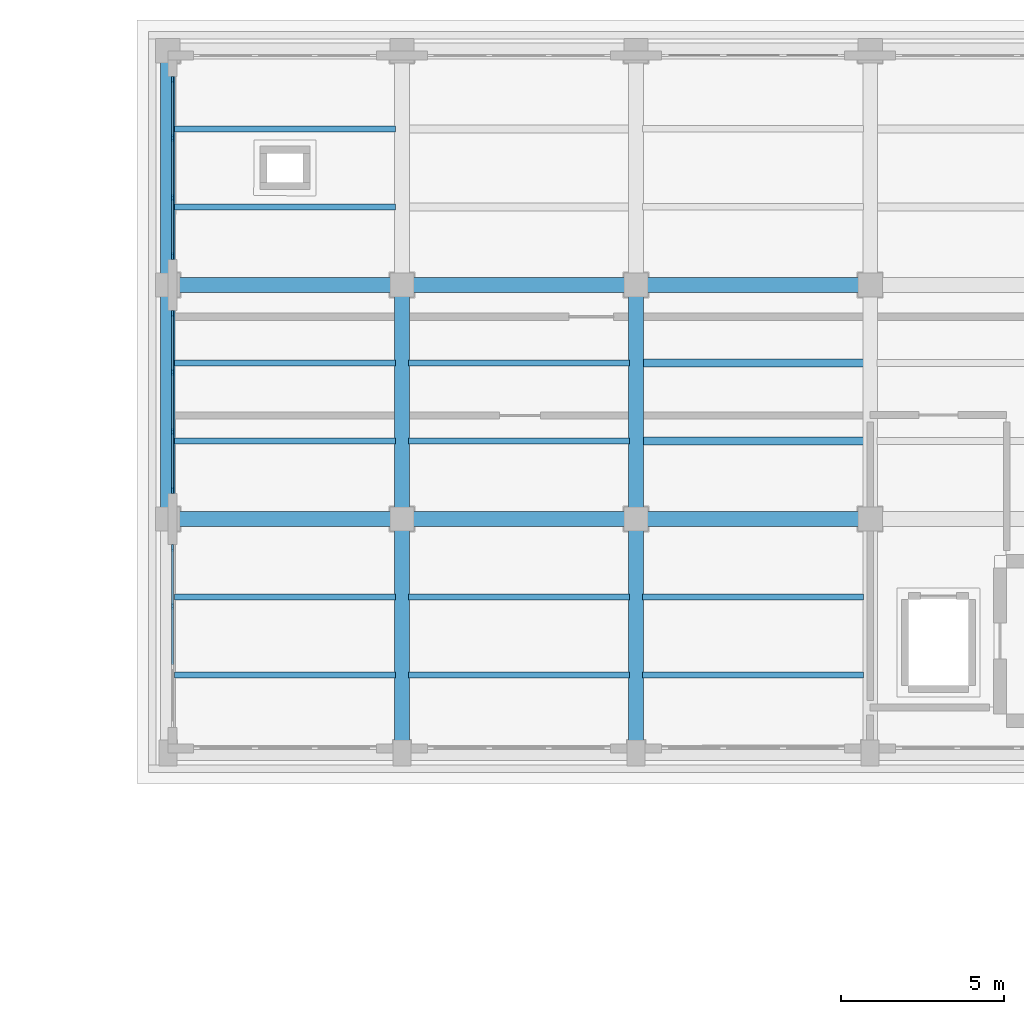
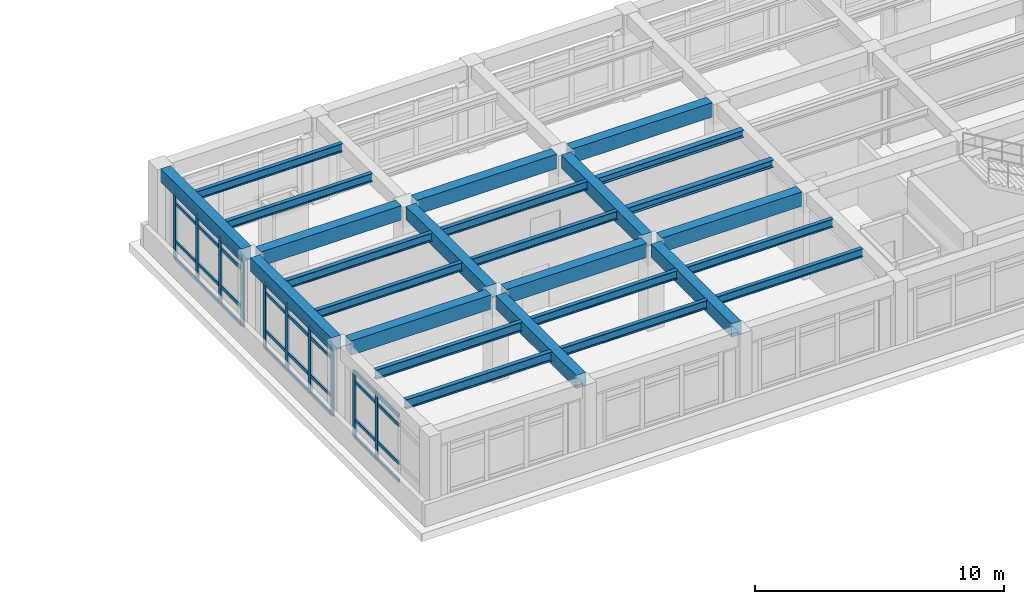
# One storey, part 23 of 67: 42 members, 26 beams, 3 elements without a shape of their own.
"""IFC4 building model written with IfcOpenShell, lengths in metres."""

from ifc_helpers import new_model, si_unit, direction, frame, origin, origin_2d, place, context, subcontext, project, spatial, rectangle, i_section, extrude, material, layer, layer_set, material_profile, profile_set, type_object, element, aggregate, save


model = new_model("IFC4")

# Units and contexts
model_context = context("Model", 3, precision=1e-05, world=origin(), true_north=direction((0.0, 1.0)))
body_context = subcontext(model_context, "Body", "Model", "MODEL_VIEW")
ifc_project = project(units=[si_unit("LENGTHUNIT", "METRE"), si_unit("AREAUNIT", "SQUARE_METRE"), si_unit("VOLUMEUNIT", "CUBIC_METRE"), si_unit("PLANEANGLEUNIT", "RADIAN"), si_unit("MASSUNIT", "GRAM", prefix="KILO")], contexts=[model_context])

# Site, building, storey
site_placement = place(None, origin())
site = spatial("IfcSite", under=ifc_project, at=site_placement, CompositionType="ELEMENT")
building_placement = place(site_placement, origin())
building = spatial("IfcBuilding", under=site, at=building_placement, Name="Solenvale Faculty of Natural Sciences", CompositionType="ELEMENT")
storey_placement = place(building_placement, frame((0.0, 0.0, 13.5)))
storey = spatial("IfcBuildingStorey", under=building, at=storey_placement, Name="L03", CompositionType="ELEMENT", Elevation=13.5)

# Beams
ifc_material_1 = material(Name="Concrete 40 MPa", Category="concrete")
ifc_material_profile_1 = material_profile(ifc_material_1, rectangle(XDim=0.449951171875, YDim=0.64990234375, at=origin_2d()), Name="RC-BM-450x650")
ifc_profile_set_1 = profile_set([ifc_material_profile_1], Name="Concrete 40 MPa")
beam_type_1 = type_object("IfcBeamType", Name="BM-RC-450x650", PredefinedType="BEAM", material=ifc_profile_set_1)
for number, where, z_axis, x_axis, name in (
    (1, (79.199951171875, 101.155029296875, 3.89501953125), (0.0, 1.0, 0.0), (-1.0, 0.0, 0.0), "L03 Y-Girder X79.2 (100.8..108.0)"),
    (2, (79.199951171875, 108.35498046875, 3.89501953125), (0.0, 1.0, 0.0), (-1.0, 0.0, 0.0), "L03 Y-Girder X79.2 (108.0..115.2)"),
):
    element("IfcBeam", number, at=place(storey_placement, frame(where, z_axis=z_axis, x_axis=x_axis)), inside=storey, type_object=beam_type_1, Name=name, PredefinedType="BEAM", context=body_context, shape_type="SweptSolid", body=[
        extrude(rectangle(XDim=0.449951171875, YDim=0.64990234375, at=origin_2d()), origin(), (0.0, 0.0, 1.0), 6.489990234375),
    ])
beam_1_placement = place(storey_placement, frame((86.39990234375, 93.97998046875, 3.89501953125), z_axis=(0.0, 1.0, 0.0), x_axis=(-1.0, 0.0, 0.0)))
element("IfcBeam", 3, at=beam_1_placement, inside=storey, type_object=beam_type_1, Name="L03 Y-Girder X86.4 (93.6..100.8)", PredefinedType="BEAM", context=body_context, shape_type="SweptSolid", body=[
    extrude(rectangle(XDim=0.449951171875, YDim=0.64990234375, at=origin_2d()), origin(), (0.0, 0.0, 1.0), 6.465087890625),
])
beam_2_placement = place(storey_placement, frame((86.39990234375, 101.155029296875, 3.89501953125), z_axis=(0.0, 1.0, 0.0), x_axis=(-1.0, 0.0, 0.0)))
element("IfcBeam", 4, at=beam_2_placement, inside=storey, type_object=beam_type_1, Name="L03 Y-Girder X86.4 (100.8..108.0)", PredefinedType="BEAM", context=body_context, shape_type="SweptSolid", body=[
    extrude(rectangle(XDim=0.449951171875, YDim=0.64990234375, at=origin_2d()), origin(), (0.0, 0.0, 1.0), 6.489990234375),
])
beam_3_placement = place(storey_placement, frame((93.60009765625, 93.97998046875, 3.89501953125), z_axis=(0.0, 1.0, 0.0), x_axis=(-1.0, 0.0, 0.0)))
element("IfcBeam", 5, at=beam_3_placement, inside=storey, type_object=beam_type_1, Name="L03 Y-Girder X93.6 (93.6..100.8)", PredefinedType="BEAM", context=body_context, shape_type="SweptSolid", body=[
    extrude(rectangle(XDim=0.449951171875, YDim=0.64990234375, at=origin_2d()), origin(), (0.0, 0.0, 1.0), 6.465087890625),
])
beam_4_placement = place(storey_placement, frame((93.60009765625, 101.155029296875, 3.89501953125), z_axis=(0.0, 1.0, 0.0), x_axis=(-1.0, 0.0, 0.0)))
element("IfcBeam", 6, at=beam_4_placement, inside=storey, type_object=beam_type_1, Name="L03 Y-Girder X93.6 (100.8..108.0)", PredefinedType="BEAM", context=body_context, shape_type="SweptSolid", body=[
    extrude(rectangle(XDim=0.449951171875, YDim=0.64990234375, at=origin_2d()), origin(), (0.0, 0.0, 1.0), 6.489990234375),
])
ifc_material_profile_2 = material_profile(ifc_material_1, rectangle(XDim=0.449951171875, YDim=0.699951171875, at=origin_2d()), Name="RC-BM-450x700")
ifc_profile_set_2 = profile_set([ifc_material_profile_2], Name="Concrete 40 MPa")
beam_type_2 = type_object("IfcBeamType", Name="BM-RC-450x700", PredefinedType="BEAM", material=ifc_profile_set_2)
beam_5_placement = place(storey_placement, frame((79.554931640625, 100.800048828125, 3.8701171875), z_axis=(1.0, 0.0, 0.0), x_axis=(0.0, 1.0, 0.0)))
element("IfcBeam", 7, at=beam_5_placement, inside=storey, type_object=beam_type_2, Name="L03 X-Girder Y100.8 (79.2..86.4)", PredefinedType="BEAM", context=body_context, shape_type="SweptSolid", body=[
    extrude(rectangle(XDim=0.449951171875, YDim=0.699951171875, at=origin_2d()), origin(), (0.0, 0.0, 1.0), 6.489990234375),
])
beam_6_placement = place(storey_placement, frame((86.7548828125, 100.800048828125, 3.8701171875), z_axis=(1.0, 0.0, 0.0), x_axis=(0.0, 1.0, 0.0)))
element("IfcBeam", 8, at=beam_6_placement, inside=storey, type_object=beam_type_2, Name="L03 X-Girder Y100.8 (86.4..93.6)", PredefinedType="BEAM", context=body_context, shape_type="SweptSolid", body=[
    extrude(rectangle(XDim=0.449951171875, YDim=0.699951171875, at=origin_2d()), origin(), (0.0, 0.0, 1.0), 6.490234375),
])
for number, where, z_axis, x_axis, name in (
    (9, (93.955078125, 100.800048828125, 3.8701171875), (1.0, 0.0, 0.0), (0.0, 1.0, 0.0), "L03 X-Girder Y100.8 (93.6..100.8)"),
    (10, (79.554931640625, 108.0, 3.8701171875), (1.0, 0.0, 0.0), (0.0, 1.0, 0.0), "L03 X-Girder Y108.0 (79.2..86.4)"),
):
    element("IfcBeam", number, at=place(storey_placement, frame(where, z_axis=z_axis, x_axis=x_axis)), inside=storey, type_object=beam_type_2, Name=name, PredefinedType="BEAM", context=body_context, shape_type="SweptSolid", body=[
        extrude(rectangle(XDim=0.449951171875, YDim=0.699951171875, at=origin_2d()), origin(), (0.0, 0.0, 1.0), 6.489990234375),
    ])
beam_7_placement = place(storey_placement, frame((86.7548828125, 108.0, 3.8701171875), z_axis=(1.0, 0.0, 0.0), x_axis=(0.0, 1.0, 0.0)))
element("IfcBeam", 11, at=beam_7_placement, inside=storey, type_object=beam_type_2, Name="L03 X-Girder Y108.0 (86.4..93.6)", PredefinedType="BEAM", context=body_context, shape_type="SweptSolid", body=[
    extrude(rectangle(XDim=0.449951171875, YDim=0.699951171875, at=origin_2d()), origin(), (0.0, 0.0, 1.0), 6.490234375),
])
beam_8_placement = place(storey_placement, frame((93.955078125, 108.0, 3.8701171875), z_axis=(1.0, 0.0, 0.0), x_axis=(0.0, 1.0, 0.0)))
element("IfcBeam", 12, at=beam_8_placement, inside=storey, type_object=beam_type_2, Name="L03 X-Girder Y108.0 (93.6..100.8)", PredefinedType="BEAM", context=body_context, shape_type="SweptSolid", body=[
    extrude(rectangle(XDim=0.449951171875, YDim=0.699951171875, at=origin_2d()), origin(), (0.0, 0.0, 1.0), 6.489990234375),
])
ifc_material_2 = material(Name="Steel S355", Category="steel")
ifc_material_profile_3 = material_profile(ifc_material_2, i_section(OverallWidth=0.2548828125, OverallDepth=0.35693359375, WebThickness=0.010498046875, FlangeThickness=0.018310546875, FilletRadius=0.014892578125, at=origin_2d()), Name="W360x101")
ifc_profile_set_3 = profile_set([ifc_material_profile_3], Name="Steel S355")
beam_type_3 = type_object("IfcBeamType", Name="BM-STL-W360x101", PredefinedType="JOIST", material=ifc_profile_set_3)
for number, where, z_axis, x_axis, name in (
    (13, (93.804931640625, 103.199951171875, 4.04150390625), (1.0, 0.0, 0.0), (0.0, 1.0, 0.0), "L03 Composite Floor Joist (14,15).1"),
    (14, (93.804931640625, 105.60009765625, 4.04150390625), (1.0, 0.0, 0.0), (0.0, 1.0, 0.0), "L03 Composite Floor Joist (14,15).2"),
):
    element("IfcBeam", number, at=place(storey_placement, frame(where, z_axis=z_axis, x_axis=x_axis)), inside=storey, type_object=beam_type_3, Name=name, PredefinedType="JOIST", context=body_context, shape_type="SweptSolid", body=[
        extrude(i_section(OverallWidth=0.2548828125, OverallDepth=0.35693359375, WebThickness=0.010498046875, FlangeThickness=0.018310546875, FilletRadius=0.014892578125, at=origin_2d()), origin(), (0.0, 0.0, 1.0), 6.7900390625),
    ])
ifc_material_profile_4 = material_profile(ifc_material_2, i_section(OverallWidth=0.178955078125, OverallDepth=0.409912109375, WebThickness=0.0087890625, FlangeThickness=0.014404296875, FilletRadius=0.01611328125, at=origin_2d()), Name="W410x67")
ifc_profile_set_4 = profile_set([ifc_material_profile_4], Name="Steel S355")
beam_type_4 = type_object("IfcBeamType", Name="BM-STL-W410x67", PredefinedType="JOIST", material=ifc_profile_set_4)
for number, where, z_axis, x_axis, name in (
    (15, (79.405029296875, 110.39990234375, 4.014892578125), (1.0, 0.0, 0.0), (0.0, 1.0, 0.0), "L03 Composite Floor Joist (12,16).1"),
    (16, (79.405029296875, 112.800048828125, 4.014892578125), (1.0, 0.0, 0.0), (0.0, 1.0, 0.0), "L03 Composite Floor Joist (12,16).2"),
    (17, (86.60498046875, 103.199951171875, 4.014892578125), (1.0, 0.0, 0.0), (0.0, 1.0, 0.0), "L03 Composite Floor Joist (13,15).1"),
    (18, (86.60498046875, 105.60009765625, 4.014892578125), (1.0, 0.0, 0.0), (0.0, 1.0, 0.0), "L03 Composite Floor Joist (13,15).2"),
    (19, (93.804931640625, 96.0, 4.014892578125), (1.0, 0.0, 0.0), (0.0, 1.0, 0.0), "L03 Composite Floor Joist (14,14).1"),
    (20, (93.804931640625, 98.39990234375, 4.014892578125), (1.0, 0.0, 0.0), (0.0, 1.0, 0.0), "L03 Composite Floor Joist (14,14).2"),
):
    element("IfcBeam", number, at=place(storey_placement, frame(where, z_axis=z_axis, x_axis=x_axis)), inside=storey, type_object=beam_type_4, Name=name, PredefinedType="JOIST", context=body_context, shape_type="SweptSolid", body=[
        extrude(i_section(OverallWidth=0.178955078125, OverallDepth=0.409912109375, WebThickness=0.0087890625, FlangeThickness=0.014404296875, FilletRadius=0.01611328125, at=origin_2d()), origin(), (0.0, 0.0, 1.0), 6.7900390625),
    ])
ifc_material_profile_5 = material_profile(ifc_material_2, i_section(OverallWidth=0.180908203125, OverallDepth=0.4169921875, WebThickness=0.010986328125, FlangeThickness=0.018310546875, FilletRadius=0.01611328125, at=origin_2d()), Name="W410x85")
ifc_profile_set_5 = profile_set([ifc_material_profile_5], Name="Steel S355")
beam_type_5 = type_object("IfcBeamType", Name="BM-STL-W410x85", PredefinedType="JOIST", material=ifc_profile_set_5)
for number, where, z_axis, x_axis, name in (
    (21, (79.405029296875, 103.199951171875, 4.011474609375), (1.0, 0.0, 0.0), (0.0, 1.0, 0.0), "L03 Composite Floor Joist (12,15).1"),
    (22, (79.405029296875, 105.60009765625, 4.011474609375), (1.0, 0.0, 0.0), (0.0, 1.0, 0.0), "L03 Composite Floor Joist (12,15).2"),
    (23, (86.60498046875, 96.0, 4.011474609375), (1.0, 0.0, 0.0), (0.0, 1.0, 0.0), "L03 Composite Floor Joist (13,14).1"),
    (24, (86.60498046875, 98.39990234375, 4.011474609375), (1.0, 0.0, 0.0), (0.0, 1.0, 0.0), "L03 Composite Floor Joist (13,14).2"),
):
    element("IfcBeam", number, at=place(storey_placement, frame(where, z_axis=z_axis, x_axis=x_axis)), inside=storey, type_object=beam_type_5, Name=name, PredefinedType="JOIST", context=body_context, shape_type="SweptSolid", body=[
        extrude(i_section(OverallWidth=0.180908203125, OverallDepth=0.4169921875, WebThickness=0.010986328125, FlangeThickness=0.018310546875, FilletRadius=0.01611328125, at=origin_2d()), origin(), (0.0, 0.0, 1.0), 6.7900390625),
    ])
ifc_material_profile_6 = material_profile(ifc_material_2, i_section(OverallWidth=0.19091796875, OverallDepth=0.4599609375, WebThickness=0.010009765625, FlangeThickness=0.01611328125, FilletRadius=0.01806640625, at=origin_2d()), Name="W460x82")
ifc_profile_set_6 = profile_set([ifc_material_profile_6], Name="Steel S355")
beam_type_6 = type_object("IfcBeamType", Name="BM-STL-W460x82", PredefinedType="JOIST", material=ifc_profile_set_6)
for number, where, z_axis, x_axis, name in (
    (25, (79.405029296875, 96.0, 3.989990234375), (1.0, 0.0, 0.0), (0.0, 1.0, 0.0), "L03 Composite Floor Joist (12,14).1"),
    (26, (79.405029296875, 98.39990234375, 3.989990234375), (1.0, 0.0, 0.0), (0.0, 1.0, 0.0), "L03 Composite Floor Joist (12,14).2"),
):
    element("IfcBeam", number, at=place(storey_placement, frame(where, z_axis=z_axis, x_axis=x_axis)), inside=storey, type_object=beam_type_6, Name=name, PredefinedType="JOIST", context=body_context, shape_type="SweptSolid", body=[
        extrude(i_section(OverallWidth=0.19091796875, OverallDepth=0.4599609375, WebThickness=0.010009765625, FlangeThickness=0.01611328125, FilletRadius=0.01806640625, at=origin_2d()), origin(), (0.0, 0.0, 1.0), 6.7900390625),
    ])

# Curtain wall, members
ifc_material_3 = material(Name="Anodised bronze aluminium", Category="aluminium")
ifc_layer = layer(ifc_material_3, 0.179931640625)
ifc_layer_set = layer_set([ifc_layer], Name="Anodised bronze aluminium")
curtain_wall_type = type_object("IfcCurtainWallType", Name="CW-TWR-MOD", PredefinedType="USERDEFINED", material=ifc_layer_set)
curtain_wall_1_placement = place(storey_placement, origin())
curtain_wall_1 = element("IfcCurtainWall", 27, at=curtain_wall_1_placement, inside=storey, type_object=curtain_wall_type, Name="L03 Curtain Wall CW-L03-P3-E5-B1", ObjectType="UNITISED CURTAIN WALL", PredefinedType="USERDEFINED")
ifc_material_profile_7 = material_profile(ifc_material_3, rectangle(XDim=0.074951171875, YDim=0.2099609375, at=origin_2d()), Name="ALU-MUL-75x210")
ifc_profile_set_7 = profile_set([ifc_material_profile_7], Name="Anodised bronze aluminium")
member_type_1 = type_object("IfcMemberType", Name="CWM-ALU-75x210", PredefinedType="MULLION", material=ifc_profile_set_7)
member_1_placement = place(storey_placement, frame((79.342529296875, 114.3125, 0.0), z_axis=(0.0, 0.0, 1.0), x_axis=(1.0, 0.0, 0.0)))
member_1 = element("IfcMember", 28, at=member_1_placement, type_object=member_type_1, Name="CW-04 mullion 1", PredefinedType="MULLION", context=body_context, shape_type="SweptSolid", body=[
    extrude(rectangle(XDim=0.074951171875, YDim=0.2099609375, at=origin_2d()), origin(), (0.0, 0.0, 1.0), 3.260009765625),
])
member_2_placement = place(storey_placement, frame((79.342529296875, 112.5166015625, 0.0), z_axis=(0.0, 0.0, 1.0), x_axis=(1.0, 0.0, 0.0)))
member_2 = element("IfcMember", 29, at=member_2_placement, type_object=member_type_1, Name="CW-04 mullion 2", PredefinedType="MULLION", context=body_context, shape_type="SweptSolid", body=[
    extrude(rectangle(XDim=0.074951171875, YDim=0.2099609375, at=origin_2d()), origin(), (0.0, 0.0, 1.0), 3.260009765625),
])
member_3_placement = place(storey_placement, frame((79.342529296875, 110.683349609375, 0.0), z_axis=(0.0, 0.0, 1.0), x_axis=(1.0, 0.0, 0.0)))
member_3 = element("IfcMember", 30, at=member_3_placement, type_object=member_type_1, Name="CW-04 mullion 3", PredefinedType="MULLION", context=body_context, shape_type="SweptSolid", body=[
    extrude(rectangle(XDim=0.074951171875, YDim=0.2099609375, at=origin_2d()), origin(), (0.0, 0.0, 1.0), 3.260009765625),
])
member_4_placement = place(storey_placement, frame((79.342529296875, 108.887451171875, 0.0), z_axis=(0.0, 0.0, 1.0), x_axis=(1.0, 0.0, 0.0)))
member_4 = element("IfcMember", 31, at=member_4_placement, type_object=member_type_1, Name="CW-04 mullion 4", PredefinedType="MULLION", context=body_context, shape_type="SweptSolid", body=[
    extrude(rectangle(XDim=0.074951171875, YDim=0.2099609375, at=origin_2d()), origin(), (0.0, 0.0, 1.0), 3.260009765625),
])

curtain_wall_2_placement = place(storey_placement, origin())
curtain_wall_2 = element("IfcCurtainWall", 32, at=curtain_wall_2_placement, inside=storey, type_object=curtain_wall_type, Name="L03 Curtain Wall CW-L03-P3-E5-B2", ObjectType="UNITISED CURTAIN WALL", PredefinedType="USERDEFINED")
member_5_placement = place(storey_placement, frame((79.342529296875, 107.112548828125, 0.0), z_axis=(0.0, 0.0, 1.0), x_axis=(1.0, 0.0, 0.0)))
member_5 = element("IfcMember", 33, at=member_5_placement, type_object=member_type_1, Name="CW-04 mullion 1", PredefinedType="MULLION", context=body_context, shape_type="SweptSolid", body=[
    extrude(rectangle(XDim=0.074951171875, YDim=0.2099609375, at=origin_2d()), origin(), (0.0, 0.0, 1.0), 3.260009765625),
])
member_6_placement = place(storey_placement, frame((79.342529296875, 105.316650390625, 0.0), z_axis=(0.0, 0.0, 1.0), x_axis=(1.0, 0.0, 0.0)))
member_6 = element("IfcMember", 34, at=member_6_placement, type_object=member_type_1, Name="CW-04 mullion 2", PredefinedType="MULLION", context=body_context, shape_type="SweptSolid", body=[
    extrude(rectangle(XDim=0.074951171875, YDim=0.2099609375, at=origin_2d()), origin(), (0.0, 0.0, 1.0), 3.260009765625),
])
member_7_placement = place(storey_placement, frame((79.342529296875, 103.4833984375, 0.0), z_axis=(0.0, 0.0, 1.0), x_axis=(1.0, 0.0, 0.0)))
member_7 = element("IfcMember", 35, at=member_7_placement, type_object=member_type_1, Name="CW-04 mullion 3", PredefinedType="MULLION", context=body_context, shape_type="SweptSolid", body=[
    extrude(rectangle(XDim=0.074951171875, YDim=0.2099609375, at=origin_2d()), origin(), (0.0, 0.0, 1.0), 3.260009765625),
])
member_8_placement = place(storey_placement, frame((79.342529296875, 101.6875, 0.0), z_axis=(0.0, 0.0, 1.0), x_axis=(1.0, 0.0, 0.0)))
member_8 = element("IfcMember", 36, at=member_8_placement, type_object=member_type_1, Name="CW-04 mullion 4", PredefinedType="MULLION", context=body_context, shape_type="SweptSolid", body=[
    extrude(rectangle(XDim=0.074951171875, YDim=0.2099609375, at=origin_2d()), origin(), (0.0, 0.0, 1.0), 3.260009765625),
])

curtain_wall_3_placement = place(storey_placement, origin())
curtain_wall_3 = element("IfcCurtainWall", 37, at=curtain_wall_3_placement, inside=storey, type_object=curtain_wall_type, Name="L03 Curtain Wall CW-L03-P3-E5-B3", ObjectType="UNITISED CURTAIN WALL", PredefinedType="USERDEFINED")
member_9_placement = place(storey_placement, frame((79.342529296875, 99.91259765625, 0.0), z_axis=(0.0, 0.0, 1.0), x_axis=(1.0, 0.0, 0.0)))
member_9 = element("IfcMember", 38, at=member_9_placement, type_object=member_type_1, Name="CW-04 mullion 1", PredefinedType="MULLION", context=body_context, shape_type="SweptSolid", body=[
    extrude(rectangle(XDim=0.074951171875, YDim=0.2099609375, at=origin_2d()), origin(), (0.0, 0.0, 1.0), 3.260009765625),
])
member_10_placement = place(storey_placement, frame((79.342529296875, 98.11669921875, 0.0), z_axis=(0.0, 0.0, 1.0), x_axis=(1.0, 0.0, 0.0)))
member_10 = element("IfcMember", 39, at=member_10_placement, type_object=member_type_1, Name="CW-04 mullion 2", PredefinedType="MULLION", context=body_context, shape_type="SweptSolid", body=[
    extrude(rectangle(XDim=0.074951171875, YDim=0.2099609375, at=origin_2d()), origin(), (0.0, 0.0, 1.0), 3.260009765625),
])

# Member
ifc_material_profile_8 = material_profile(ifc_material_3, rectangle(XDim=0.074951171875, YDim=0.155029296875, at=origin_2d()), Name="ALU-TRN-75x155")
ifc_profile_set_8 = profile_set([ifc_material_profile_8], Name="Anodised bronze aluminium")
member_type_2 = type_object("IfcMemberType", Name="CWT-ALU-75x155", PredefinedType="USERDEFINED", material=ifc_profile_set_8)
member_11_placement = place(storey_placement, frame((79.342529296875, 114.27490234375, 0.03759765625), z_axis=(0.0, -1.0, 0.0), x_axis=(1.0, 0.0, 0.0)))
member_11 = element("IfcMember", 40, at=member_11_placement, type_object=member_type_2, Name="CW-04 transom 1.1", ObjectType="TRANSOM", PredefinedType="USERDEFINED", context=body_context, shape_type="SweptSolid", body=[
    extrude(rectangle(XDim=0.074951171875, YDim=0.155029296875, at=origin_2d()), origin(), (0.0, 0.0, 1.0), 1.720703125),
])

member_12_placement = place(storey_placement, frame((79.342529296875, 114.27490234375, 0.89990234375), z_axis=(0.0, -1.0, 0.0), x_axis=(1.0, 0.0, 0.0)))
member_12 = element("IfcMember", 41, at=member_12_placement, type_object=member_type_2, Name="CW-04 transom 1.2", ObjectType="TRANSOM", PredefinedType="USERDEFINED", context=body_context, shape_type="SweptSolid", body=[
    extrude(rectangle(XDim=0.074951171875, YDim=0.155029296875, at=origin_2d()), origin(), (0.0, 0.0, 1.0), 1.720703125),
])

member_13_placement = place(storey_placement, frame((79.342529296875, 114.27490234375, 2.760009765625), z_axis=(0.0, -1.0, 0.0), x_axis=(1.0, 0.0, 0.0)))
member_13 = element("IfcMember", 42, at=member_13_placement, type_object=member_type_2, Name="CW-04 transom 1.3", ObjectType="TRANSOM", PredefinedType="USERDEFINED", context=body_context, shape_type="SweptSolid", body=[
    extrude(rectangle(XDim=0.074951171875, YDim=0.155029296875, at=origin_2d()), origin(), (0.0, 0.0, 1.0), 1.720703125),
])

member_14_placement = place(storey_placement, frame((79.342529296875, 114.27490234375, 3.222412109375), z_axis=(0.0, -1.0, 0.0), x_axis=(1.0, 0.0, 0.0)))
member_14 = element("IfcMember", 43, at=member_14_placement, type_object=member_type_2, Name="CW-04 transom 1.4", ObjectType="TRANSOM", PredefinedType="USERDEFINED", context=body_context, shape_type="SweptSolid", body=[
    extrude(rectangle(XDim=0.074951171875, YDim=0.155029296875, at=origin_2d()), origin(), (0.0, 0.0, 1.0), 1.720703125),
])

member_15_placement = place(storey_placement, frame((79.342529296875, 112.479248046875, 0.03759765625), z_axis=(0.0, -1.0, 0.0), x_axis=(1.0, 0.0, 0.0)))
member_15 = element("IfcMember", 44, at=member_15_placement, type_object=member_type_2, Name="CW-04 transom 2.1", ObjectType="TRANSOM", PredefinedType="USERDEFINED", context=body_context, shape_type="SweptSolid", body=[
    extrude(rectangle(XDim=0.074951171875, YDim=0.155029296875, at=origin_2d()), origin(), (0.0, 0.0, 1.0), 1.75830078125),
])

member_16_placement = place(storey_placement, frame((79.342529296875, 112.479248046875, 0.89990234375), z_axis=(0.0, -1.0, 0.0), x_axis=(1.0, 0.0, 0.0)))
member_16 = element("IfcMember", 45, at=member_16_placement, type_object=member_type_2, Name="CW-04 transom 2.2", ObjectType="TRANSOM", PredefinedType="USERDEFINED", context=body_context, shape_type="SweptSolid", body=[
    extrude(rectangle(XDim=0.074951171875, YDim=0.155029296875, at=origin_2d()), origin(), (0.0, 0.0, 1.0), 1.75830078125),
])

member_17_placement = place(storey_placement, frame((79.342529296875, 112.479248046875, 2.760009765625), z_axis=(0.0, -1.0, 0.0), x_axis=(1.0, 0.0, 0.0)))
member_17 = element("IfcMember", 46, at=member_17_placement, type_object=member_type_2, Name="CW-04 transom 2.3", ObjectType="TRANSOM", PredefinedType="USERDEFINED", context=body_context, shape_type="SweptSolid", body=[
    extrude(rectangle(XDim=0.074951171875, YDim=0.155029296875, at=origin_2d()), origin(), (0.0, 0.0, 1.0), 1.75830078125),
])

member_18_placement = place(storey_placement, frame((79.342529296875, 112.479248046875, 3.222412109375), z_axis=(0.0, -1.0, 0.0), x_axis=(1.0, 0.0, 0.0)))
member_18 = element("IfcMember", 47, at=member_18_placement, type_object=member_type_2, Name="CW-04 transom 2.4", ObjectType="TRANSOM", PredefinedType="USERDEFINED", context=body_context, shape_type="SweptSolid", body=[
    extrude(rectangle(XDim=0.074951171875, YDim=0.155029296875, at=origin_2d()), origin(), (0.0, 0.0, 1.0), 1.75830078125),
])

member_19_placement = place(storey_placement, frame((79.342529296875, 110.645751953125, 0.03759765625), z_axis=(0.0, -1.0, 0.0), x_axis=(1.0, 0.0, 0.0)))
member_19 = element("IfcMember", 48, at=member_19_placement, type_object=member_type_2, Name="CW-04 transom 3.1", ObjectType="TRANSOM", PredefinedType="USERDEFINED", context=body_context, shape_type="SweptSolid", body=[
    extrude(rectangle(XDim=0.074951171875, YDim=0.155029296875, at=origin_2d()), origin(), (0.0, 0.0, 1.0), 1.720703125),
])

member_20_placement = place(storey_placement, frame((79.342529296875, 110.645751953125, 0.89990234375), z_axis=(0.0, -1.0, 0.0), x_axis=(1.0, 0.0, 0.0)))
member_20 = element("IfcMember", 49, at=member_20_placement, type_object=member_type_2, Name="CW-04 transom 3.2", ObjectType="TRANSOM", PredefinedType="USERDEFINED", context=body_context, shape_type="SweptSolid", body=[
    extrude(rectangle(XDim=0.074951171875, YDim=0.155029296875, at=origin_2d()), origin(), (0.0, 0.0, 1.0), 1.720703125),
])

member_21_placement = place(storey_placement, frame((79.342529296875, 110.645751953125, 2.760009765625), z_axis=(0.0, -1.0, 0.0), x_axis=(1.0, 0.0, 0.0)))
member_21 = element("IfcMember", 50, at=member_21_placement, type_object=member_type_2, Name="CW-04 transom 3.3", ObjectType="TRANSOM", PredefinedType="USERDEFINED", context=body_context, shape_type="SweptSolid", body=[
    extrude(rectangle(XDim=0.074951171875, YDim=0.155029296875, at=origin_2d()), origin(), (0.0, 0.0, 1.0), 1.720703125),
])

member_22_placement = place(storey_placement, frame((79.342529296875, 110.645751953125, 3.222412109375), z_axis=(0.0, -1.0, 0.0), x_axis=(1.0, 0.0, 0.0)))
member_22 = element("IfcMember", 51, at=member_22_placement, type_object=member_type_2, Name="CW-04 transom 3.4", ObjectType="TRANSOM", PredefinedType="USERDEFINED", context=body_context, shape_type="SweptSolid", body=[
    extrude(rectangle(XDim=0.074951171875, YDim=0.155029296875, at=origin_2d()), origin(), (0.0, 0.0, 1.0), 1.720703125),
])

aggregate(curtain_wall_1, [member_1, member_2, member_3, member_4, member_11, member_12, member_13, member_14, member_15, member_16, member_17, member_18, member_19, member_20, member_21, member_22])

member_23_placement = place(storey_placement, frame((79.342529296875, 107.074951171875, 0.03759765625), z_axis=(0.0, -1.0, 0.0), x_axis=(1.0, 0.0, 0.0)))
member_23 = element("IfcMember", 52, at=member_23_placement, type_object=member_type_2, Name="CW-04 transom 1.1", ObjectType="TRANSOM", PredefinedType="USERDEFINED", context=body_context, shape_type="SweptSolid", body=[
    extrude(rectangle(XDim=0.074951171875, YDim=0.155029296875, at=origin_2d()), origin(), (0.0, 0.0, 1.0), 1.720703125),
])

member_24_placement = place(storey_placement, frame((79.342529296875, 107.074951171875, 0.89990234375), z_axis=(0.0, -1.0, 0.0), x_axis=(1.0, 0.0, 0.0)))
member_24 = element("IfcMember", 53, at=member_24_placement, type_object=member_type_2, Name="CW-04 transom 1.2", ObjectType="TRANSOM", PredefinedType="USERDEFINED", context=body_context, shape_type="SweptSolid", body=[
    extrude(rectangle(XDim=0.074951171875, YDim=0.155029296875, at=origin_2d()), origin(), (0.0, 0.0, 1.0), 1.720703125),
])

member_25_placement = place(storey_placement, frame((79.342529296875, 107.074951171875, 2.760009765625), z_axis=(0.0, -1.0, 0.0), x_axis=(1.0, 0.0, 0.0)))
member_25 = element("IfcMember", 54, at=member_25_placement, type_object=member_type_2, Name="CW-04 transom 1.3", ObjectType="TRANSOM", PredefinedType="USERDEFINED", context=body_context, shape_type="SweptSolid", body=[
    extrude(rectangle(XDim=0.074951171875, YDim=0.155029296875, at=origin_2d()), origin(), (0.0, 0.0, 1.0), 1.720703125),
])

member_26_placement = place(storey_placement, frame((79.342529296875, 107.074951171875, 3.222412109375), z_axis=(0.0, -1.0, 0.0), x_axis=(1.0, 0.0, 0.0)))
member_26 = element("IfcMember", 55, at=member_26_placement, type_object=member_type_2, Name="CW-04 transom 1.4", ObjectType="TRANSOM", PredefinedType="USERDEFINED", context=body_context, shape_type="SweptSolid", body=[
    extrude(rectangle(XDim=0.074951171875, YDim=0.155029296875, at=origin_2d()), origin(), (0.0, 0.0, 1.0), 1.720703125),
])

member_27_placement = place(storey_placement, frame((79.342529296875, 105.279052734375, 0.03759765625), z_axis=(0.0, -1.0, 0.0), x_axis=(1.0, 0.0, 0.0)))
member_27 = element("IfcMember", 56, at=member_27_placement, type_object=member_type_2, Name="CW-04 transom 2.1", ObjectType="TRANSOM", PredefinedType="USERDEFINED", context=body_context, shape_type="SweptSolid", body=[
    extrude(rectangle(XDim=0.074951171875, YDim=0.155029296875, at=origin_2d()), origin(), (0.0, 0.0, 1.0), 1.75830078125),
])

member_28_placement = place(storey_placement, frame((79.342529296875, 105.279052734375, 0.89990234375), z_axis=(0.0, -1.0, 0.0), x_axis=(1.0, 0.0, 0.0)))
member_28 = element("IfcMember", 57, at=member_28_placement, type_object=member_type_2, Name="CW-04 transom 2.2", ObjectType="TRANSOM", PredefinedType="USERDEFINED", context=body_context, shape_type="SweptSolid", body=[
    extrude(rectangle(XDim=0.074951171875, YDim=0.155029296875, at=origin_2d()), origin(), (0.0, 0.0, 1.0), 1.75830078125),
])

member_29_placement = place(storey_placement, frame((79.342529296875, 105.279052734375, 2.760009765625), z_axis=(0.0, -1.0, 0.0), x_axis=(1.0, 0.0, 0.0)))
member_29 = element("IfcMember", 58, at=member_29_placement, type_object=member_type_2, Name="CW-04 transom 2.3", ObjectType="TRANSOM", PredefinedType="USERDEFINED", context=body_context, shape_type="SweptSolid", body=[
    extrude(rectangle(XDim=0.074951171875, YDim=0.155029296875, at=origin_2d()), origin(), (0.0, 0.0, 1.0), 1.75830078125),
])

member_30_placement = place(storey_placement, frame((79.342529296875, 105.279052734375, 3.222412109375), z_axis=(0.0, -1.0, 0.0), x_axis=(1.0, 0.0, 0.0)))
member_30 = element("IfcMember", 59, at=member_30_placement, type_object=member_type_2, Name="CW-04 transom 2.4", ObjectType="TRANSOM", PredefinedType="USERDEFINED", context=body_context, shape_type="SweptSolid", body=[
    extrude(rectangle(XDim=0.074951171875, YDim=0.155029296875, at=origin_2d()), origin(), (0.0, 0.0, 1.0), 1.75830078125),
])

member_31_placement = place(storey_placement, frame((79.342529296875, 103.44580078125, 0.03759765625), z_axis=(0.0, -1.0, 0.0), x_axis=(1.0, 0.0, 0.0)))
member_31 = element("IfcMember", 60, at=member_31_placement, type_object=member_type_2, Name="CW-04 transom 3.1", ObjectType="TRANSOM", PredefinedType="USERDEFINED", context=body_context, shape_type="SweptSolid", body=[
    extrude(rectangle(XDim=0.074951171875, YDim=0.155029296875, at=origin_2d()), origin(), (0.0, 0.0, 1.0), 1.720703125),
])

member_32_placement = place(storey_placement, frame((79.342529296875, 103.44580078125, 0.89990234375), z_axis=(0.0, -1.0, 0.0), x_axis=(1.0, 0.0, 0.0)))
member_32 = element("IfcMember", 61, at=member_32_placement, type_object=member_type_2, Name="CW-04 transom 3.2", ObjectType="TRANSOM", PredefinedType="USERDEFINED", context=body_context, shape_type="SweptSolid", body=[
    extrude(rectangle(XDim=0.074951171875, YDim=0.155029296875, at=origin_2d()), origin(), (0.0, 0.0, 1.0), 1.720703125),
])

member_33_placement = place(storey_placement, frame((79.342529296875, 103.44580078125, 2.760009765625), z_axis=(0.0, -1.0, 0.0), x_axis=(1.0, 0.0, 0.0)))
member_33 = element("IfcMember", 62, at=member_33_placement, type_object=member_type_2, Name="CW-04 transom 3.3", ObjectType="TRANSOM", PredefinedType="USERDEFINED", context=body_context, shape_type="SweptSolid", body=[
    extrude(rectangle(XDim=0.074951171875, YDim=0.155029296875, at=origin_2d()), origin(), (0.0, 0.0, 1.0), 1.720703125),
])

member_34_placement = place(storey_placement, frame((79.342529296875, 103.44580078125, 3.222412109375), z_axis=(0.0, -1.0, 0.0), x_axis=(1.0, 0.0, 0.0)))
member_34 = element("IfcMember", 63, at=member_34_placement, type_object=member_type_2, Name="CW-04 transom 3.4", ObjectType="TRANSOM", PredefinedType="USERDEFINED", context=body_context, shape_type="SweptSolid", body=[
    extrude(rectangle(XDim=0.074951171875, YDim=0.155029296875, at=origin_2d()), origin(), (0.0, 0.0, 1.0), 1.720703125),
])

aggregate(curtain_wall_2, [member_5, member_6, member_7, member_8, member_23, member_24, member_25, member_26, member_27, member_28, member_29, member_30, member_31, member_32, member_33, member_34])

member_35_placement = place(storey_placement, frame((79.342529296875, 99.875, 0.03759765625), z_axis=(0.0, -1.0, 0.0), x_axis=(1.0, 0.0, 0.0)))
member_35 = element("IfcMember", 64, at=member_35_placement, type_object=member_type_2, Name="CW-04 transom 1.1", ObjectType="TRANSOM", PredefinedType="USERDEFINED", context=body_context, shape_type="SweptSolid", body=[
    extrude(rectangle(XDim=0.074951171875, YDim=0.155029296875, at=origin_2d()), origin(), (0.0, 0.0, 1.0), 1.720947265625),
])

member_36_placement = place(storey_placement, frame((79.342529296875, 99.875, 0.89990234375), z_axis=(0.0, -1.0, 0.0), x_axis=(1.0, 0.0, 0.0)))
member_36 = element("IfcMember", 65, at=member_36_placement, type_object=member_type_2, Name="CW-04 transom 1.2", ObjectType="TRANSOM", PredefinedType="USERDEFINED", context=body_context, shape_type="SweptSolid", body=[
    extrude(rectangle(XDim=0.074951171875, YDim=0.155029296875, at=origin_2d()), origin(), (0.0, 0.0, 1.0), 1.720947265625),
])

member_37_placement = place(storey_placement, frame((79.342529296875, 99.875, 2.760009765625), z_axis=(0.0, -1.0, 0.0), x_axis=(1.0, 0.0, 0.0)))
member_37 = element("IfcMember", 66, at=member_37_placement, type_object=member_type_2, Name="CW-04 transom 1.3", ObjectType="TRANSOM", PredefinedType="USERDEFINED", context=body_context, shape_type="SweptSolid", body=[
    extrude(rectangle(XDim=0.074951171875, YDim=0.155029296875, at=origin_2d()), origin(), (0.0, 0.0, 1.0), 1.720947265625),
])

member_38_placement = place(storey_placement, frame((79.342529296875, 99.875, 3.222412109375), z_axis=(0.0, -1.0, 0.0), x_axis=(1.0, 0.0, 0.0)))
member_38 = element("IfcMember", 67, at=member_38_placement, type_object=member_type_2, Name="CW-04 transom 1.4", ObjectType="TRANSOM", PredefinedType="USERDEFINED", context=body_context, shape_type="SweptSolid", body=[
    extrude(rectangle(XDim=0.074951171875, YDim=0.155029296875, at=origin_2d()), origin(), (0.0, 0.0, 1.0), 1.720947265625),
])

member_39_placement = place(storey_placement, frame((79.342529296875, 98.0791015625, 0.03759765625), z_axis=(0.0, -1.0, 0.0), x_axis=(1.0, 0.0, 0.0)))
member_39 = element("IfcMember", 68, at=member_39_placement, type_object=member_type_2, Name="CW-04 transom 2.1", ObjectType="TRANSOM", PredefinedType="USERDEFINED", context=body_context, shape_type="SweptSolid", body=[
    extrude(rectangle(XDim=0.074951171875, YDim=0.155029296875, at=origin_2d()), origin(), (0.0, 0.0, 1.0), 1.75830078125),
])

member_40_placement = place(storey_placement, frame((79.342529296875, 98.0791015625, 0.89990234375), z_axis=(0.0, -1.0, 0.0), x_axis=(1.0, 0.0, 0.0)))
member_40 = element("IfcMember", 69, at=member_40_placement, type_object=member_type_2, Name="CW-04 transom 2.2", ObjectType="TRANSOM", PredefinedType="USERDEFINED", context=body_context, shape_type="SweptSolid", body=[
    extrude(rectangle(XDim=0.074951171875, YDim=0.155029296875, at=origin_2d()), origin(), (0.0, 0.0, 1.0), 1.75830078125),
])

member_41_placement = place(storey_placement, frame((79.342529296875, 98.0791015625, 2.760009765625), z_axis=(0.0, -1.0, 0.0), x_axis=(1.0, 0.0, 0.0)))
member_41 = element("IfcMember", 70, at=member_41_placement, type_object=member_type_2, Name="CW-04 transom 2.3", ObjectType="TRANSOM", PredefinedType="USERDEFINED", context=body_context, shape_type="SweptSolid", body=[
    extrude(rectangle(XDim=0.074951171875, YDim=0.155029296875, at=origin_2d()), origin(), (0.0, 0.0, 1.0), 1.75830078125),
])

member_42_placement = place(storey_placement, frame((79.342529296875, 98.0791015625, 3.222412109375), z_axis=(0.0, -1.0, 0.0), x_axis=(1.0, 0.0, 0.0)))
member_42 = element("IfcMember", 71, at=member_42_placement, type_object=member_type_2, Name="CW-04 transom 2.4", ObjectType="TRANSOM", PredefinedType="USERDEFINED", context=body_context, shape_type="SweptSolid", body=[
    extrude(rectangle(XDim=0.074951171875, YDim=0.155029296875, at=origin_2d()), origin(), (0.0, 0.0, 1.0), 1.75830078125),
])

aggregate(curtain_wall_3, [member_9, member_10, member_35, member_36, member_37, member_38, member_39, member_40, member_41, member_42])

save(model, "model.ifc")
